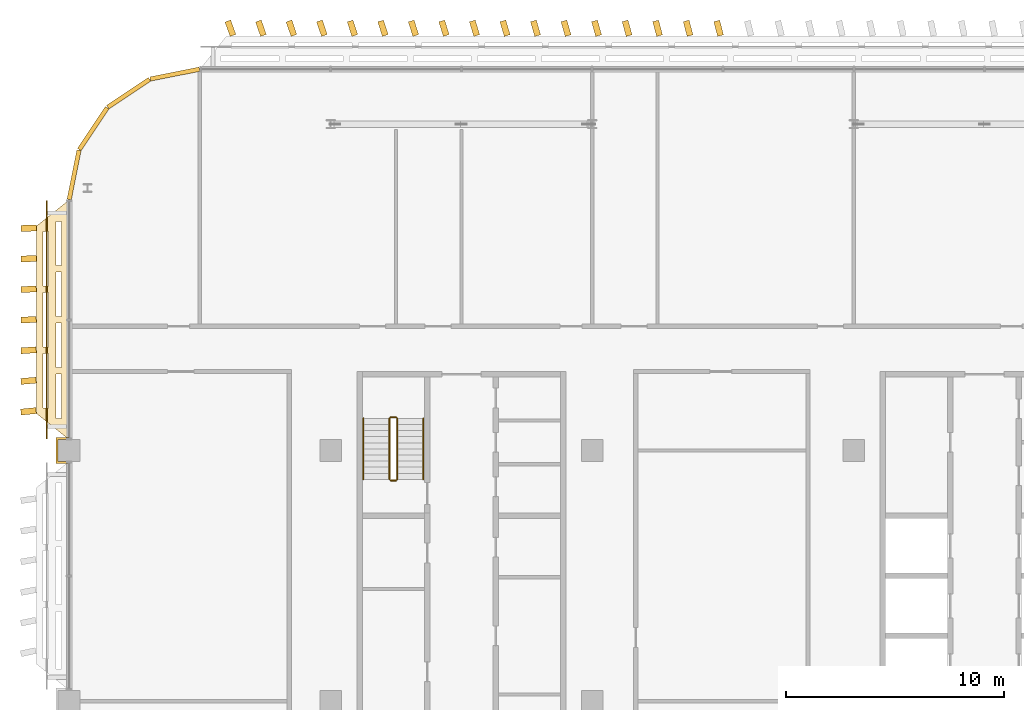
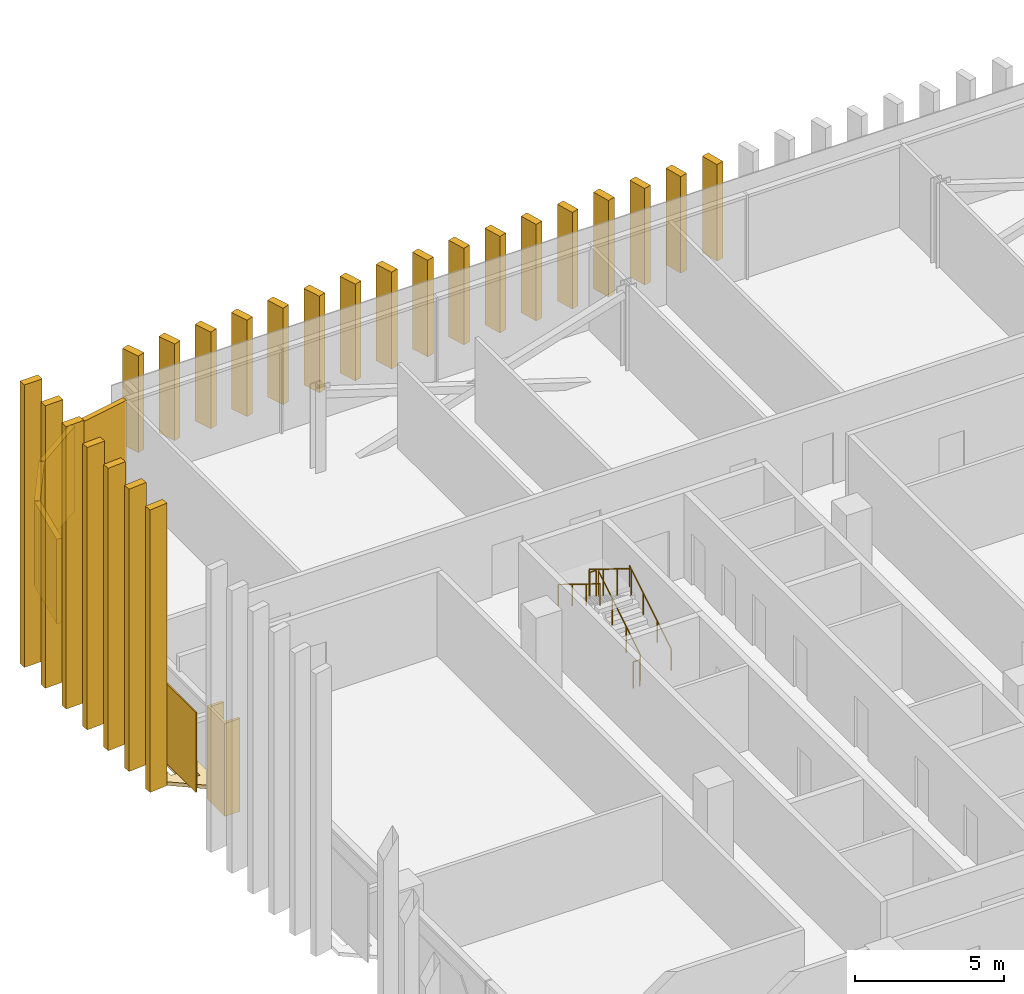
# One storey, part 26 of 30: 31 coverings, 6 railings.
"""IFC4 building model written with IfcOpenShell, lengths in metres."""

import ifcopenshell
import ifcopenshell.guid

model = None  # the IFC model being written
_history = None  # IfcOwnerHistory: only IFC2X3 demands one
_inside = {}  # id of a spatial element -> (the spatial element, [elements in it])
_under = {}  # id of a project, library or spatial element -> (it, [spatial elements below it])
_declared = {}  # id of a project -> (the project, [libraries it declares])
_typed = {}  # id of a type object -> (the type object, [elements of that type])
_made_of = {}  # id of a material, layer set ... -> (it, [elements and type objects made of it])


def new_model(schema):
    """Start an empty IFC model of exactly this schema.

    Asked for "IFC4X3", IfcOpenShell would pick the latest addendum, in which some entities
    have other attributes; the version numbers below select the first issue.
    IFC2X3 requires an IfcOwnerHistory on every rooted entity: one is made here for all.
    """
    global model, _history
    if schema == "IFC4X3":
        model = ifcopenshell.file(schema_version=(4, 3, 0, 0))
    else:
        model = ifcopenshell.file(schema=schema)
    _inside.clear()
    _under.clear()
    _declared.clear()
    _typed.clear()
    _made_of.clear()
    _history = None
    if model.schema == "IFC2X3":
        org = make("IfcOrganization", Name="unknown")
        user = make(
            "IfcPersonAndOrganization",
            ThePerson=make("IfcPerson", FamilyName="unknown"),
            TheOrganization=org,
        )
        app = make(
            "IfcApplication",
            ApplicationDeveloper=org,
            Version="unknown",
            ApplicationFullName="unknown",
            ApplicationIdentifier="unknown",
        )
        _history = make(
            "IfcOwnerHistory",
            OwningUser=user,
            OwningApplication=app,
            ChangeAction="ADDED",
            CreationDate=0,
        )
    return model


def make(cls, **values):
    """One entity of the class cls with the attributes given. An attribute that is None is left unset."""
    return model.create_entity(
        cls, **{name: value for name, value in values.items() if value is not None}
    )


def rooted(cls, **values):
    """An entity with a GlobalId (a new one), such as an element, a storey or a relation."""
    return make(cls, GlobalId=ifcopenshell.guid.new(), OwnerHistory=_history, **values)


def si_unit(unit_type, name, prefix=None):
    """IfcSIUnit, for example si_unit("LENGTHUNIT", "METRE", prefix="MILLI")."""
    return make("IfcSIUnit", UnitType=unit_type, Prefix=prefix, Name=name)


def assignment(units):
    """IfcUnitAssignment: the units of a project."""
    return None if units is None else make("IfcUnitAssignment", Units=units)


def point(xyz):
    """IfcCartesianPoint."""
    return None if xyz is None else make("IfcCartesianPoint", Coordinates=xyz)


def direction(xyz):
    """IfcDirection."""
    return None if xyz is None else make("IfcDirection", DirectionRatios=xyz)


def frame(location, z_axis=None, x_axis=None):
    """IfcAxis2Placement3D, a coordinate frame: its origin and axes. An axis left out is left unset."""
    return make(
        "IfcAxis2Placement3D",
        Location=point(location),
        Axis=direction(z_axis),
        RefDirection=direction(x_axis),
    )


def frame_2d(location, x_axis=None):
    """IfcAxis2Placement2D, a coordinate frame in the plane: its origin and x axis."""
    return make(
        "IfcAxis2Placement2D", Location=point(location), RefDirection=direction(x_axis)
    )


def origin():
    """The frame at (0, 0, 0) with its axes left unset."""
    return frame((0.0, 0.0, 0.0))


def origin_2d():
    """The frame at (0, 0) in the plane with its x axis left unset."""
    return frame_2d((0.0, 0.0))


def place(relative_to, where):
    """IfcLocalPlacement: puts the frame where relative to a parent placement (None: the world)."""
    return make(
        "IfcLocalPlacement", PlacementRelTo=relative_to, RelativePlacement=where
    )


def context(
    kind, dimensions, precision=None, world=None, true_north=None, identifier=None
):
    """IfcGeometricRepresentationContext, for example the 3D "Model" context."""
    return make(
        "IfcGeometricRepresentationContext",
        ContextIdentifier=identifier,
        ContextType=kind,
        CoordinateSpaceDimension=dimensions,
        Precision=precision,
        WorldCoordinateSystem=world,
        TrueNorth=true_north,
    )


def subcontext(parent, identifier, kind, view, scale=None):
    """IfcGeometricRepresentationSubContext, for example "Body" below "Model"."""
    return make(
        "IfcGeometricRepresentationSubContext",
        ContextIdentifier=identifier,
        ContextType=kind,
        ParentContext=parent,
        TargetScale=scale,
        TargetView=view,
    )


def project(units=None, contexts=None):
    """IfcProject with its units and contexts."""
    return rooted(
        "IfcProject",
        Name="project",
        RepresentationContexts=contexts,
        UnitsInContext=assignment(units),
    )


def spatial(cls, under=None, at=None, **own):
    """A site, building, storey or space (cls), placed at a placement, below another one or the project."""
    s = rooted(cls, ObjectPlacement=at, **own)
    if under is not None:
        _under.setdefault(under.id(), (under, []))[1].append(s)
    return s


def polyline(points):
    """IfcPolyline through the points."""
    return make("IfcPolyline", Points=[point(p) for p in points])


def profile(cls, at=None, kind="AREA", **sizes):
    """A parametric profile (cls). Its sizes go by their IFC names, for example OverallWidth=200.0."""
    return make(cls, ProfileType=kind, Position=at, **sizes)


def rectangle(**sizes):
    """IfcRectangleProfileDef."""
    return profile("IfcRectangleProfileDef", **sizes)


def circle(**sizes):
    """IfcCircleProfileDef."""
    return profile("IfcCircleProfileDef", **sizes)


def outline(outer, holes=None, kind="AREA"):
    """IfcArbitraryClosedProfileDef: a profile drawn as a closed curve; with holes, ...WithVoids."""
    if holes is None:
        return make("IfcArbitraryClosedProfileDef", ProfileType=kind, OuterCurve=outer)
    return make(
        "IfcArbitraryProfileDefWithVoids",
        ProfileType=kind,
        OuterCurve=outer,
        InnerCurves=holes,
    )


def extrude(swept, where, along, depth):
    """IfcExtrudedAreaSolid: the profile swept, set in the frame where, extruded along a direction by depth."""
    return make(
        "IfcExtrudedAreaSolid",
        SweptArea=swept,
        Position=where,
        ExtrudedDirection=direction(along),
        Depth=depth,
    )


def shape(context_of_items, identifier, shape_type, items):
    """IfcShapeRepresentation: the items that make up one representation, for example the "Body"."""
    return make(
        "IfcShapeRepresentation",
        ContextOfItems=context_of_items,
        RepresentationIdentifier=identifier,
        RepresentationType=shape_type,
        Items=items,
    )


def material(Name=None, Category=None):
    """IfcMaterial."""
    return make("IfcMaterial", Name=Name, Category=Category)


def layer(
    of_material, thickness, ventilated=None, Name=None, Category=None, Priority=None
):
    """IfcMaterialLayer: one layer of a wall or slab, of a material (None: an air gap)."""
    return make(
        "IfcMaterialLayer",
        Material=of_material,
        LayerThickness=thickness,
        IsVentilated=ventilated,
        Name=Name,
        Category=Category,
        Priority=Priority,
    )


def layer_set(layers, Name=None):
    """IfcMaterialLayerSet."""
    return make("IfcMaterialLayerSet", MaterialLayers=layers, LayerSetName=Name)


def made_of(thing, what):
    """Note that an element or type object is made of a material, layer set ...; save() writes the relation."""
    if what is not None:
        _made_of.setdefault(what.id(), (what, []))[1].append(thing)
    return thing


def type_object(cls, material=None, **own):
    """A type object (cls), such as IfcWallType, which elements share."""
    return made_of(rooted(cls, **own), material)


def element(
    cls,
    number,
    at=None,
    inside=None,
    cuts=None,
    type_object=None,
    material=None,
    context=None,
    identifier="Body",
    shape_type=None,
    held_by="IfcProductDefinitionShape",
    body=None,
    shapes=None,
    **own,
):
    """One element of the class cls, such as IfcWall. Its Tag is "e" and its number.

    at: its placement. inside: the storey or other place that contains it. cuts: it is an
    opening in that element (IfcRelVoidsElement). A single representation is given by context,
    identifier, shape_type and body (its items); several are given by shapes. held_by: the class
    of the entity that holds the representations. save() writes the other relations.
    """
    e = rooted(cls, Tag="e%d" % number, ObjectPlacement=at, **own)
    if body is not None:
        shapes = [shape(context, identifier, shape_type, body)]
    if shapes is not None:
        e.Representation = make(held_by, Representations=shapes)
    if inside is not None:
        _inside.setdefault(inside.id(), (inside, []))[1].append(e)
    if cuts is not None:
        rooted(
            "IfcRelVoidsElement", RelatingBuildingElement=cuts, RelatedOpeningElement=e
        )
    if type_object is not None:
        _typed.setdefault(type_object.id(), (type_object, []))[1].append(e)
    return made_of(e, material)


def aggregate(whole, parts):
    """IfcRelAggregates: a whole, such as a stair, and the parts it consists of."""
    return rooted("IfcRelAggregates", RelatingObject=whole, RelatedObjects=parts)


def save(model, path):
    """Write the relations noted so far, then the file.

    IfcRelAggregates (storeys below a building ...), IfcRelContainedInSpatialStructure (elements
    in a storey), IfcRelDefinesByType, IfcRelAssociatesMaterial and IfcRelDeclares: one each for
    every whole, place, type object, material and project.
    """
    for whole, parts in _under.values():
        aggregate(whole, parts)
    for where, things in _inside.values():
        rooted(
            "IfcRelContainedInSpatialStructure",
            RelatedElements=things,
            RelatingStructure=where,
        )
    for kind, things in _typed.values():
        rooted("IfcRelDefinesByType", RelatedObjects=things, RelatingType=kind)
    for what, things in _made_of.values():
        rooted("IfcRelAssociatesMaterial", RelatedObjects=things, RelatingMaterial=what)
    for by, libraries in _declared.values():
        rooted("IfcRelDeclares", RelatingContext=by, RelatedDefinitions=libraries)
    model.write(path)


model = new_model("IFC4")

# Units and contexts
model_context = context("Model", 3, precision=1e-05, world=origin(), true_north=direction((0.0, 1.0)))
body_context = subcontext(model_context, "Body", "Model", "MODEL_VIEW")
ifc_project = project(units=[si_unit("LENGTHUNIT", "METRE"), si_unit("AREAUNIT", "SQUARE_METRE"), si_unit("VOLUMEUNIT", "CUBIC_METRE"), si_unit("PLANEANGLEUNIT", "RADIAN"), si_unit("MASSUNIT", "GRAM", prefix="KILO")], contexts=[model_context])

# Site, building, storey
site_placement = place(None, origin())
site = spatial("IfcSite", under=ifc_project, at=site_placement, CompositionType="ELEMENT")
building_placement = place(site_placement, origin())
building = spatial("IfcBuilding", under=site, at=building_placement, Name="Mahtab Terrace Research Tower", CompositionType="ELEMENT")
storey_placement = place(building_placement, frame((0.0, 0.0, 228.60009765625)))
storey = spatial("IfcBuildingStorey", under=building, at=storey_placement, Name="L55", CompositionType="ELEMENT", Elevation=228.60009765625)

# Coverings
ifc_material_1 = material(Name="Black aluminium cladding panel", Category="aluminium")
ifc_layer_1 = layer(ifc_material_1, 0.199951171875)
ifc_layer_set_1 = layer_set([ifc_layer_1], Name="Black metal corner cladding 200")
covering_type_1 = type_object("IfcCoveringType", Name="Black metal corner cladding 200", PredefinedType="CLADDING", material=ifc_layer_set_1)
for number, where, z_axis, x_axis, name in (
    (1, (-37.14794921875, 28.771484375, 0.0), (0.0, 0.0, 1.0), (-0.980760981187, -0.195212442692, 0.0), "Corner cladding L55 4"),
    (2, (-39.26953125, 27.89306640625, 0.0), (0.0, 0.0, 1.0), (-0.831655794326, -0.555291490808, 0.0), "Corner cladding L55 5"),
    (3, (-40.89306640625, 26.26953125, 0.0), (0.0, 0.0, 1.0), (-0.555291490808, -0.831655794326, 0.0), "Corner cladding L55 6"),
    (4, (-41.771484375, 24.14794921875, 0.0), (0.0, 0.0, 1.0), (-0.195212442692, -0.980760981187, 0.0), "Corner cladding L55 7"),
):
    element("IfcCovering", number, at=place(storey_placement, frame(where, z_axis=z_axis, x_axis=x_axis)), inside=storey, type_object=covering_type_1, Name=name, PredefinedType="CLADDING", context=body_context, shape_type="SweptSolid", body=[
        extrude(rectangle(XDim=2.30126953125, YDim=0.199951171875, at=origin_2d()), origin(), (0.0, 0.0, 1.0), 3.4599609375),
    ])
ifc_material_2 = material(Name="Dark anodised aluminium cladding", Category="aluminium")
ifc_layer_2 = layer(ifc_material_2, 0.10009765625)
ifc_layer_set_2 = layer_set([ifc_layer_2], Name="Column casing 100")
covering_type_2 = type_object("IfcCoveringType", Name="Column casing 100", PredefinedType="CLADDING", material=ifc_layer_set_2)
covering_1_placement = place(storey_placement, frame((0.0, 0.0, -0.340087890625)))
element("IfcCovering", 5, at=covering_1_placement, inside=storey, type_object=covering_type_2, Name="Column casing RC-1C L55", PredefinedType="CLADDING", context=body_context, shape_type="SweptSolid", body=[
    extrude(outline(polyline([(-42.60009765625, 12.10009765625), (-42.0, 12.10009765625), (-42.0, 12.0), (-42.5, 12.0), (-42.5, 11.0), (-42.0, 11.0), (-42.0, 10.89990234375), (-42.60009765625, 10.89990234375), (-42.60009765625, 12.10009765625)])), origin(), (0.0, 0.0, 1.0), 3.800048828125),
])
ifc_material_3 = material(Name="Black anodised aluminium", Category="aluminium")
ifc_layer_3 = layer(ifc_material_3, 0.14990234375)
ifc_layer_set_3 = layer_set([ifc_layer_3], Name="Horizontal sunshade band")
covering_type_3 = type_object("IfcCoveringType", Name="Horizontal sunshade band", PredefinedType="CLADDING", material=ifc_layer_set_3)
covering_2_placement = place(storey_placement, frame((0.0, 0.0, -0.150146484375)))
element("IfcCovering", 6, at=covering_2_placement, inside=storey, type_object=covering_type_3, Name="Sunshade band L55 8", PredefinedType="CLADDING", context=body_context, shape_type="SweptSolid", body=[
    extrude(outline(polyline([(-42.0, 23.0), (-42.0, 12.0), (-43.5, 13.199951171875), (-43.5, 21.800048828125), (-42.0, 23.0)]), holes=[polyline([(-42.35009765625, 22.02001953125), (-42.35009765625, 19.985107421875), (-42.60009765625, 19.985107421875), (-42.60009765625, 22.02001953125), (-42.35009765625, 22.02001953125)]), polyline([(-42.35009765625, 19.68505859375), (-42.35009765625, 17.64990234375), (-42.60009765625, 17.64990234375), (-42.60009765625, 19.68505859375), (-42.35009765625, 19.68505859375)]), polyline([(-42.35009765625, 17.35009765625), (-42.35009765625, 15.31494140625), (-42.60009765625, 15.31494140625), (-42.60009765625, 17.35009765625), (-42.35009765625, 17.35009765625)]), polyline([(-42.35009765625, 15.014892578125), (-42.35009765625, 12.97998046875), (-42.60009765625, 12.97998046875), (-42.60009765625, 15.014892578125), (-42.35009765625, 15.014892578125)]), polyline([(-42.949951171875, 21.5400390625), (-42.949951171875, 19.047119140625), (-43.199951171875, 19.047119140625), (-43.199951171875, 21.5400390625), (-42.949951171875, 21.5400390625)]), polyline([(-42.949951171875, 18.7470703125), (-42.949951171875, 16.2529296875), (-43.199951171875, 16.2529296875), (-43.199951171875, 18.7470703125), (-42.949951171875, 18.7470703125)]), polyline([(-42.949951171875, 15.952880859375), (-42.949951171875, 13.4599609375), (-43.199951171875, 13.4599609375), (-43.199951171875, 15.952880859375), (-42.949951171875, 15.952880859375)])]), origin(), (0.0, 0.0, 1.0), 0.150146484375),
])
ifc_material_4 = material(Name="Bronze anodised aluminium", Category="aluminium")
ifc_layer_4 = layer(ifc_material_4, 0.050048828125)
ifc_layer_set_4 = layer_set([ifc_layer_4], Name="Sky lounge girih screen panel")
covering_type_4 = type_object("IfcCoveringType", Name="Sky lounge girih screen panel", PredefinedType="CLADDING", material=ifc_layer_set_4)
covering_3_placement = place(storey_placement, frame((-43.02490234375, 17.5, 0.10009765625), z_axis=(0.0, 0.0, 1.0), x_axis=(0.0, -1.0, 0.0)))
element("IfcCovering", 7, at=covering_3_placement, inside=storey, type_object=covering_type_4, Name="Girih screen L55 W9", PredefinedType="CLADDING", context=body_context, shape_type="SweptSolid", body=[
    extrude(rectangle(XDim=10.89990234375, YDim=0.050048828125, at=origin_2d()), origin(), (0.0, 0.0, 1.0), 3.260009765625),
])

# Railings
ifc_material_5 = material(Name="Stainless steel AISI 304", Category="steel")
railing_type_1 = type_object("IfcRailingType", Name="Stair guard 1100", PredefinedType="GUARDRAIL", material=ifc_material_5)
railing_1_placement = place(storey_placement, frame((-26.949951171875, 10.175048828125, 0.172607421875)))
element("IfcRailing", 8, at=railing_1_placement, inside=storey, type_object=railing_type_1, Name="L55 ST1 stair guard 1", PredefinedType="GUARDRAIL", context=body_context, shape_type="SweptSolid", body=[
    extrude(circle(Radius=0.02392578125, at=origin_2d()), frame((0.0, 0.0, 1.076171875), z_axis=(0.0, 0.851089632645, 0.525020415988), x_axis=(-1.0, 0.0, 0.0)), (0.0, 0.0, 1.0), 3.2900390625),
    extrude(circle(Radius=0.02099609375, at=origin_2d()), origin(), (0.0, 0.0, 1.0), 1.052001953125),
    extrude(circle(Radius=0.02099609375, at=origin_2d()), frame((0.0, 0.933349609375, 0.57568359375)), (0.0, 0.0, 1.0), 1.052001953125),
    extrude(circle(Radius=0.02099609375, at=origin_2d()), frame((0.0, 1.86669921875, 1.151611328125)), (0.0, 0.0, 1.0), 1.052001953125),
    extrude(circle(Radius=0.02099609375, at=origin_2d()), frame((0.0, 2.800048828125, 1.727294921875)), (0.0, 0.0, 1.0), 1.052001953125),
])
railing_2_placement = place(storey_placement, frame((-27.0, 13.02490234375, 1.89990234375)))
element("IfcRailing", 9, at=railing_2_placement, inside=storey, type_object=railing_type_1, Name="L55 ST1 stair guard 2", PredefinedType="GUARDRAIL", context=body_context, shape_type="SweptSolid", body=[
    extrude(circle(Radius=0.02392578125, at=origin_2d()), frame((0.0, 0.0, 1.076171875), z_axis=(-1.0, 0.0, 0.0), x_axis=(0.0, -1.0, 0.0)), (0.0, 0.0, 1.0), 0.25),
    extrude(circle(Radius=0.02099609375, at=origin_2d()), origin(), (0.0, 0.0, 1.0), 1.052001953125),
    extrude(circle(Radius=0.02099609375, at=origin_2d()), frame((-0.25, 0.0, 0.0)), (0.0, 0.0, 1.0), 1.052001953125),
])
railing_3_placement = place(storey_placement, frame((-27.300048828125, 12.97509765625, 2.072509765625)))
element("IfcRailing", 10, at=railing_3_placement, inside=storey, type_object=railing_type_1, Name="L55 ST1 stair guard 3", PredefinedType="GUARDRAIL", context=body_context, shape_type="SweptSolid", body=[
    extrude(circle(Radius=0.02392578125, at=origin_2d()), frame((0.0, 0.0, 1.076171875), z_axis=(0.0, -0.851089632645, 0.525020415988), x_axis=(1.0, 0.0, 0.0)), (0.0, 0.0, 1.0), 3.2900390625),
    extrude(circle(Radius=0.02099609375, at=origin_2d()), origin(), (0.0, 0.0, 1.0), 1.052001953125),
    extrude(circle(Radius=0.02099609375, at=origin_2d()), frame((0.0, -0.933349609375, 0.57568359375)), (0.0, 0.0, 1.0), 1.052001953125),
    extrude(circle(Radius=0.02099609375, at=origin_2d()), frame((0.0, -1.86669921875, 1.151611328125)), (0.0, 0.0, 1.0), 1.052001953125),
    extrude(circle(Radius=0.02099609375, at=origin_2d()), frame((0.0, -2.800048828125, 1.727294921875)), (0.0, 0.0, 1.0), 1.052001953125),
])
railing_4_placement = place(storey_placement, frame((-27.0, 10.125, 0.0)))
element("IfcRailing", 11, at=railing_4_placement, inside=storey, type_object=railing_type_1, Name="L55 ST1 stair guard 4", PredefinedType="GUARDRAIL", context=body_context, shape_type="SweptSolid", body=[
    extrude(circle(Radius=0.02392578125, at=origin_2d()), frame((0.0, 0.0, 1.076171875), z_axis=(-1.0, 0.0, 0.0), x_axis=(0.0, -1.0, 0.0)), (0.0, 0.0, 1.0), 0.25),
    extrude(circle(Radius=0.02099609375, at=origin_2d()), origin(), (0.0, 0.0, 1.0), 1.052001953125),
    extrude(circle(Radius=0.02099609375, at=origin_2d()), frame((-0.25, 0.0, 0.0)), (0.0, 0.0, 1.0), 1.052001953125),
])
railing_type_2 = type_object("IfcRailingType", Name="Stair handrail 900", PredefinedType="HANDRAIL", material=ifc_material_5)
railing_5_placement = place(storey_placement, frame((-25.75, 10.175048828125, 0.172607421875)))
element("IfcRailing", 12, at=railing_5_placement, inside=storey, type_object=railing_type_2, Name="L55 ST1 stair handrail 1", PredefinedType="HANDRAIL", context=body_context, shape_type="SweptSolid", body=[
    extrude(circle(Radius=0.02392578125, at=origin_2d()), frame((0.0, 0.0, 0.8759765625), z_axis=(0.0, 0.851089632645, 0.525020415988), x_axis=(-1.0, 0.0, 0.0)), (0.0, 0.0, 1.0), 3.2900390625),
    extrude(circle(Radius=0.02099609375, at=origin_2d()), origin(), (0.0, 0.0, 1.0), 0.851806640625),
    extrude(circle(Radius=0.02099609375, at=origin_2d()), frame((0.0, 0.933349609375, 0.57568359375)), (0.0, 0.0, 1.0), 0.851806640625),
    extrude(circle(Radius=0.02099609375, at=origin_2d()), frame((0.0, 1.86669921875, 1.151611328125)), (0.0, 0.0, 1.0), 0.851806640625),
    extrude(circle(Radius=0.02099609375, at=origin_2d()), frame((0.0, 2.800048828125, 1.727294921875)), (0.0, 0.0, 1.0), 0.851806640625),
])
railing_6_placement = place(storey_placement, frame((-28.5, 12.97509765625, 2.072509765625)))
element("IfcRailing", 13, at=railing_6_placement, inside=storey, type_object=railing_type_2, Name="L55 ST1 stair handrail 2", PredefinedType="HANDRAIL", context=body_context, shape_type="SweptSolid", body=[
    extrude(circle(Radius=0.02392578125, at=origin_2d()), frame((0.0, 0.0, 0.8759765625), z_axis=(0.0, -0.851089632645, 0.525020415988), x_axis=(1.0, 0.0, 0.0)), (0.0, 0.0, 1.0), 3.2900390625),
    extrude(circle(Radius=0.02099609375, at=origin_2d()), origin(), (0.0, 0.0, 1.0), 0.851806640625),
    extrude(circle(Radius=0.02099609375, at=origin_2d()), frame((0.0, -0.933349609375, 0.57568359375)), (0.0, 0.0, 1.0), 0.851806640625),
    extrude(circle(Radius=0.02099609375, at=origin_2d()), frame((0.0, -1.86669921875, 1.151611328125)), (0.0, 0.0, 1.0), 0.851806640625),
    extrude(circle(Radius=0.02099609375, at=origin_2d()), frame((0.0, -2.800048828125, 1.727294921875)), (0.0, 0.0, 1.0), 0.851806640625),
])

# Coverings
ifc_layer_5 = layer(ifc_material_4, 0.1201171875)
ifc_layer_set_5 = layer_set([ifc_layer_5], Name="Vertical fin 700")
covering_type_5 = type_object("IfcCoveringType", Name="Vertical fin 700", PredefinedType="CLADDING", material=ifc_layer_set_5)
for number, where, z_axis, x_axis, name in (
    (14, (-12.199951171875, 30.873779296875, -0.14990234375), (0.0, 0.0, 1.0), (-0.968871869227, -0.247562721386, 0.0), "Fin L55 N43"),
    (15, (-13.60009765625, 30.8740234375, -0.14990234375), (0.0, 0.0, 1.0), (-0.967415219461, -0.25319516811, 0.0), "Fin L55 N44"),
    (16, (-15.0, 30.874267578125, -0.14990234375), (0.0, 0.0, 1.0), (-0.965925826289, -0.258819045103, 0.0), "Fin L55 N45"),
    (17, (-16.39990234375, 30.87451171875, -0.14990234375), (0.0, 0.0, 1.0), (-0.964403740116, -0.264434162032, 0.0), "Fin L55 N46"),
    (18, (-17.800048828125, 30.874755859375, -0.14990234375), (0.0, 0.0, 1.0), (-0.962849012456, -0.270040328864, 0.0), "Fin L55 N47"),
    (19, (-19.199951171875, 30.875, -0.14990234375), (0.0, 0.0, 1.0), (-0.961261695938, -0.275637355817, 0.0), "Fin L55 N48"),
    (20, (-20.60009765625, 30.875244140625, -0.14990234375), (0.0, 0.0, 1.0), (-0.959641844284, -0.28122505347, 0.0), "Fin L55 N49"),
    (21, (-22.0, 30.87548828125, -0.14990234375), (0.0, 0.0, 1.0), (-0.957989512314, -0.286803232717, 0.0), "Fin L55 N50"),
    (22, (-23.39990234375, 30.875732421875, -0.14990234375), (0.0, 0.0, 1.0), (-0.956304755963, -0.292371704723, 0.0), "Fin L55 N51"),
    (23, (-24.800048828125, 30.875732421875, -0.14990234375), (0.0, 0.0, 1.0), (-0.954587632249, -0.297930281033, 0.0), "Fin L55 N52"),
    (24, (-26.199951171875, 30.8759765625, -0.14990234375), (0.0, 0.0, 1.0), (-0.952838199286, -0.303478773527, 0.0), "Fin L55 N53"),
    (25, (-27.60009765625, 30.876220703125, -0.14990234375), (0.0, 0.0, 1.0), (-0.951056516295, -0.309016994375, 0.0), "Fin L55 N54"),
    (26, (-29.0, 30.876220703125, -0.14990234375), (0.0, 0.0, 1.0), (-0.949242643575, -0.314544756146, 0.0), "Fin L55 N55"),
    (27, (-30.39990234375, 30.87646484375, -0.14990234375), (0.0, 0.0, 1.0), (-0.947396642512, -0.320061871762, 0.0), "Fin L55 N56"),
    (28, (-31.800048828125, 30.87646484375, -0.14990234375), (0.0, 0.0, 1.0), (-0.945518575599, -0.325568154457, 0.0), "Fin L55 N57"),
    (29, (-33.199951171875, 30.876708984375, -0.14990234375), (0.0, 0.0, 1.0), (-0.943608506396, -0.331063417879, 0.0), "Fin L55 N58"),
    (30, (-34.60009765625, 30.876708984375, -0.14990234375), (0.0, 0.0, 1.0), (-0.941666499544, -0.336547476052, 0.0), "Fin L55 N59"),
):
    element("IfcCovering", number, at=place(storey_placement, frame(where, z_axis=z_axis, x_axis=x_axis)), inside=storey, type_object=covering_type_5, Name=name, PredefinedType="CLADDING", context=body_context, shape_type="SweptSolid", body=[
        extrude(rectangle(XDim=0.280029296875, YDim=0.699951171875, at=origin_2d()), origin(), (0.0, 0.0, 1.0), 3.949951171875),
    ])
for number, where, z_axis, x_axis, name in (
    (31, (-43.851806640625, 21.699951171875, -0.14990234375), (0.0, 0.0, 1.0), (0.013346239208, -0.999910934983, 0.0), "Fin L55 W1"),
    (32, (-43.853759765625, 20.300048828125, -0.14990234375), (0.0, 0.0, 1.0), (0.027716385337, -0.999615827198, 0.0), "Fin L55 W2"),
    (33, (-43.85546875, 18.89990234375, -0.14990234375), (0.0, 0.0, 1.0), (0.042080805588, -0.999114210589, 0.0), "Fin L55 W3"),
    (34, (-43.857421875, 17.5, -0.14990234375), (0.0, 0.0, 1.0), (0.056436532442, -0.998406188786, 0.0), "Fin L55 W4"),
    (35, (-43.859130859375, 16.10009765625, -0.14990234375), (0.0, 0.0, 1.0), (0.070780600157, -0.997491908058, 0.0), "Fin L55 W5"),
    (36, (-43.860595703125, 14.699951171875, -0.14990234375), (0.0, 0.0, 1.0), (0.085110045454, -0.996371557283, 0.0), "Fin L55 W6"),
    (37, (-43.8623046875, 13.300048828125, -0.14990234375), (0.0, 0.0, 1.0), (0.099421908021, -0.995045367913, 0.0), "Fin L55 W7"),
):
    element("IfcCovering", number, at=place(storey_placement, frame(where, z_axis=z_axis, x_axis=x_axis)), inside=storey, type_object=covering_type_5, Name=name, PredefinedType="CLADDING", context=body_context, shape_type="SweptSolid", body=[
        extrude(rectangle(XDim=0.280029296875, YDim=0.699951171875, at=origin_2d()), origin(), (0.0, 0.0, 1.0), 11.550048828125),
    ])

save(model, "model.ifc")
